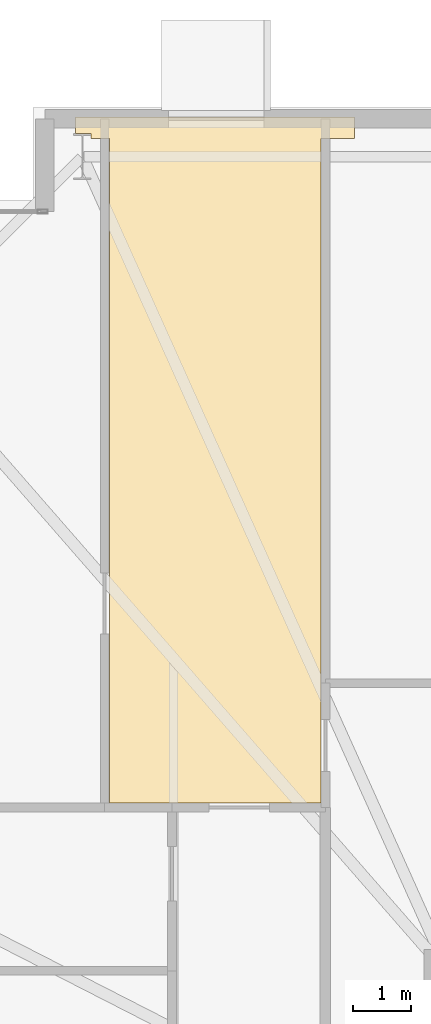
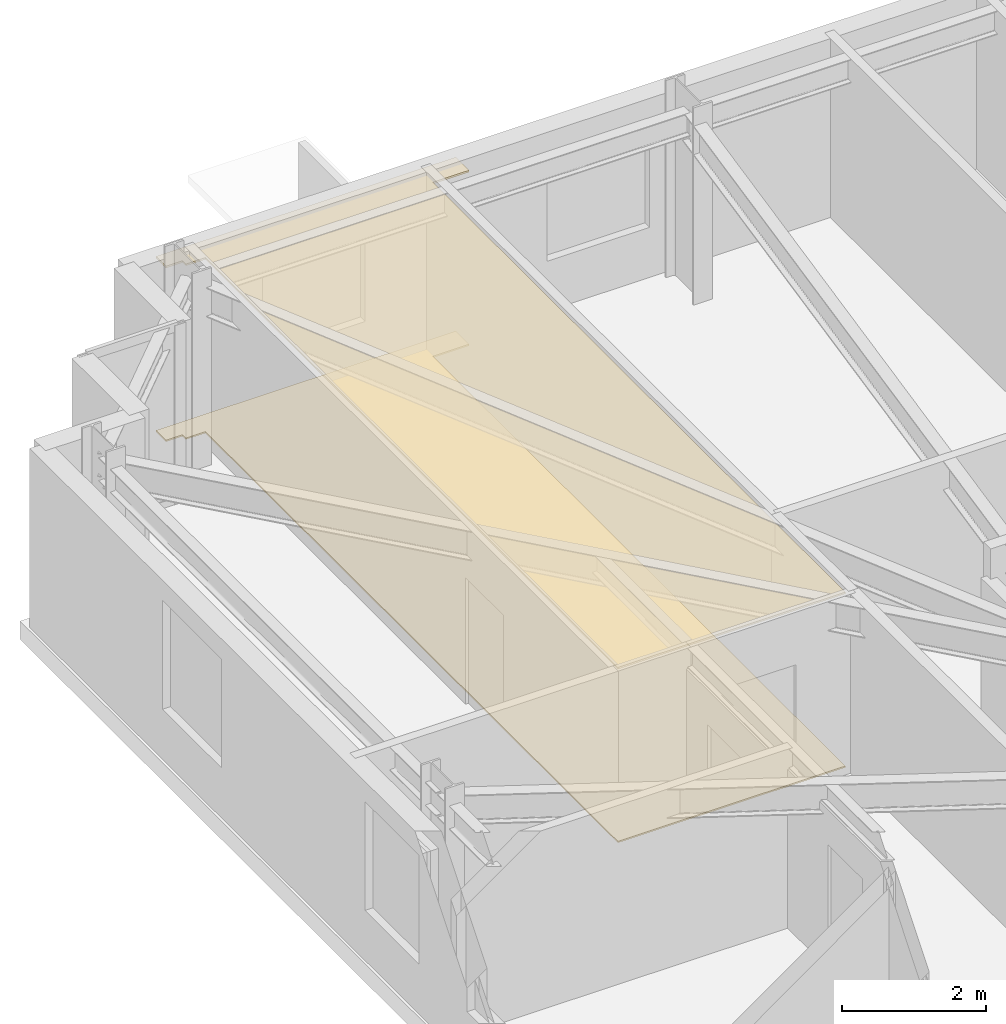
# One storey, part 18 of 19: 2 coverings.
"""IFC4 building model written with IfcOpenShell, lengths in metres."""

from ifc_helpers import new_model, si_unit, direction, frame, origin, place, context, subcontext, project, spatial, polyline, outline, extrude, material, layer, layer_set, type_object, element, save


model = new_model("IFC4")

# Units and contexts
model_context = context("Model", 3, precision=1e-05, world=origin(), true_north=direction((0.0, 1.0)))
body_context = subcontext(model_context, "Body", "Model", "MODEL_VIEW")
ifc_project = project(units=[si_unit("LENGTHUNIT", "METRE"), si_unit("AREAUNIT", "SQUARE_METRE"), si_unit("VOLUMEUNIT", "CUBIC_METRE"), si_unit("PLANEANGLEUNIT", "RADIAN"), si_unit("MASSUNIT", "GRAM", prefix="KILO")], contexts=[model_context])

# Site, building, storey
site_placement = place(None, origin())
site = spatial("IfcSite", under=ifc_project, at=site_placement, CompositionType="ELEMENT")
building_placement = place(site_placement, origin())
building = spatial("IfcBuilding", under=site, at=building_placement, Name="Qobustan Lattice House", CompositionType="ELEMENT")
storey_placement = place(building_placement, frame((0.0, 0.0, 137.699951171875)))
storey = spatial("IfcBuildingStorey", under=building, at=storey_placement, Name="L38", CompositionType="ELEMENT", Elevation=137.699951171875)

# Coverings
ifc_material_1 = material(Name="Perforated gypsum acoustic ceiling", Category="gypsum")
ifc_layer_1 = layer(ifc_material_1, 0.030029296875)
ifc_layer_set_1 = layer_set([ifc_layer_1], Name="Perforated gypsum acoustic ceiling")
covering_type_1 = type_object("IfcCoveringType", Name="COV-ACOUSTIC-CEIL", PredefinedType="CEILING", material=ifc_layer_set_1)
covering_1_placement = place(storey_placement, frame((0.0, 0.0, 2.949951171875)))
element("IfcCovering", 1, at=covering_1_placement, inside=storey, type_object=covering_type_1, Name="L38 Reading seminar room L38WN acoustic ceiling", PredefinedType="CEILING", context=body_context, shape_type="SweptSolid", body=[
    extrude(outline(polyline([(-25.264892578125, 20.429931640625), (-25.264892578125, 20.152099609375), (-24.998046875, 20.152099609375), (-24.998046875, 20.06005859375), (-24.68505859375, 20.06005859375), (-24.68505859375, 8.580078125), (-21.030029296875, 8.580078125), (-21.030029296875, 20.06005859375), (-20.449951171875, 20.06005859375), (-20.449951171875, 20.429931640625), (-25.264892578125, 20.429931640625)])), origin(), (0.0, 0.0, 1.0), 0.030029296875),
])
ifc_material_2 = material(Name="Honed Absheron stone terrazzo flooring", Category="masonry")
ifc_layer_2 = layer(ifc_material_2, 0.02490234375)
ifc_layer_set_2 = layer_set([ifc_layer_2], Name="Honed Absheron stone terrazzo flooring")
covering_type_2 = type_object("IfcCoveringType", Name="COV-TERRAZZO-FLR", PredefinedType="FLOORING", material=ifc_layer_set_2)
covering_2_placement = place(storey_placement, origin())
element("IfcCovering", 2, at=covering_2_placement, inside=storey, type_object=covering_type_2, Name="L38 Reading seminar room L38WN stone terrazzo flooring", PredefinedType="FLOORING", context=body_context, shape_type="SweptSolid", body=[
    extrude(outline(polyline([(-25.264892578125, 20.429931640625), (-25.264892578125, 20.152099609375), (-24.998046875, 20.152099609375), (-24.998046875, 20.06005859375), (-24.68505859375, 20.06005859375), (-24.68505859375, 8.580078125), (-21.030029296875, 8.580078125), (-21.030029296875, 20.06005859375), (-20.449951171875, 20.06005859375), (-20.449951171875, 20.429931640625), (-25.264892578125, 20.429931640625)])), origin(), (0.0, 0.0, 1.0), 0.025146484375),
])

save(model, "model.ifc")
